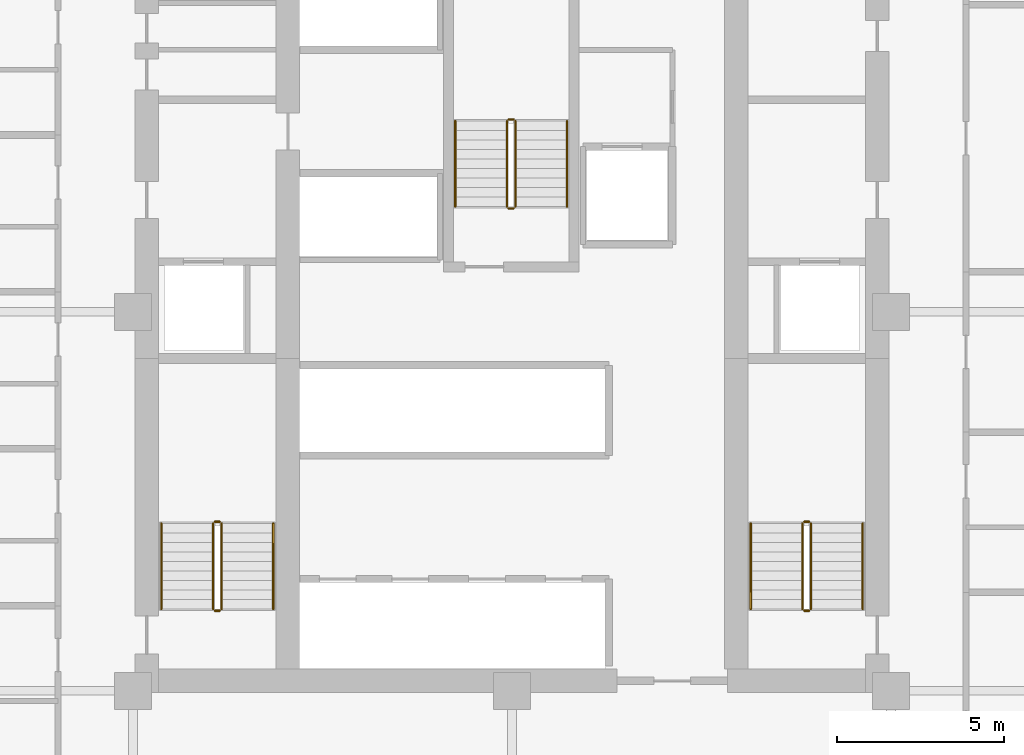
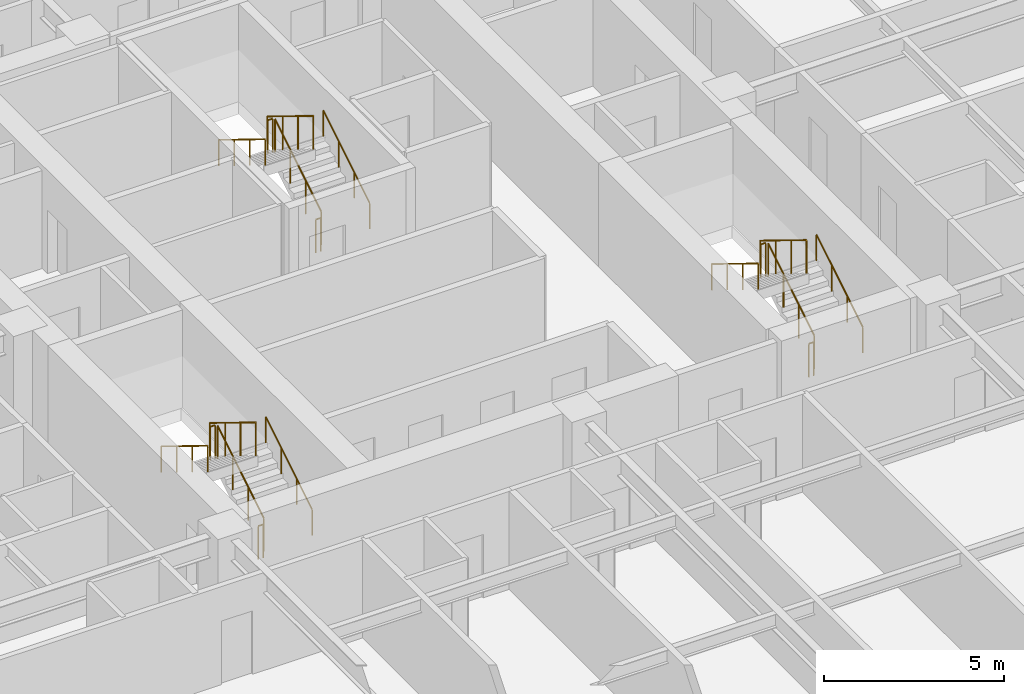
# One storey, part 8 of 8: 18 railings.
"""IFC4 building model written with IfcOpenShell, lengths in metres."""

from ifc_helpers import new_model, si_unit, direction, frame, origin, origin_2d, place, context, subcontext, project, spatial, circle, extrude, material, type_object, element, save


model = new_model("IFC4")

# Units and contexts
model_context = context("Model", 3, precision=1e-05, world=origin(), true_north=direction((0.0, 1.0)))
body_context = subcontext(model_context, "Body", "Model", "MODEL_VIEW")
ifc_project = project(units=[si_unit("LENGTHUNIT", "METRE"), si_unit("AREAUNIT", "SQUARE_METRE"), si_unit("VOLUMEUNIT", "CUBIC_METRE"), si_unit("PLANEANGLEUNIT", "RADIAN"), si_unit("MASSUNIT", "GRAM", prefix="KILO")], contexts=[model_context])

# Site, building, storey
site_placement = place(None, origin())
site = spatial("IfcSite", under=ifc_project, at=site_placement, CompositionType="ELEMENT")
building_placement = place(site_placement, origin())
building = spatial("IfcBuilding", under=site, at=building_placement, Name="Nhamokura Convention Tower", CompositionType="ELEMENT")
storey_placement = place(building_placement, frame((0.0, 0.0, 42.35009765625)))
storey = spatial("IfcBuildingStorey", under=building, at=storey_placement, Name="L08", CompositionType="ELEMENT", Elevation=42.35009765625)

# Railings
ifc_material_1 = material(Name="Anodised bronze stainless steel", Category="steel")
railing_type_1 = type_object("IfcRailingType", Name="StairWallHandrail_900", PredefinedType="HANDRAIL", material=ifc_material_1)
railing_1_placement = place(storey_placement, frame((24.85009765625, 23.10009765625, 0.1748046875)))
element("IfcRailing", 1, at=railing_1_placement, inside=storey, type_object=railing_type_1, Name="L08 ST-01 stair handrail 1", PredefinedType="HANDRAIL", context=body_context, shape_type="SweptSolid", body=[
    extrude(circle(Radius=0.02392578125, at=origin_2d()), frame((0.0, 0.0, 0.8759765625), z_axis=(0.0, 0.85213695991, 0.523318833556), x_axis=(-1.0, 0.0, 0.0)), (0.0, 0.0, 1.0), 3.010009765625),
    extrude(circle(Radius=0.02099609375, at=origin_2d()), origin(), (0.0, 0.0, 1.0), 0.851806640625),
    extrude(circle(Radius=0.02099609375, at=origin_2d()), frame((0.0, 0.85498046875, 0.525146484375)), (0.0, 0.0, 1.0), 0.851806640625),
    extrude(circle(Radius=0.02099609375, at=origin_2d()), frame((0.0, 1.7099609375, 1.050048828125)), (0.0, 0.0, 1.0), 0.851806640625),
    extrude(circle(Radius=0.02099609375, at=origin_2d()), frame((0.0, 2.56494140625, 1.5751953125)), (0.0, 0.0, 1.0), 0.851806640625),
])
railing_2_placement = place(storey_placement, frame((21.5, 25.6650390625, 1.9248046875)))
element("IfcRailing", 2, at=railing_2_placement, inside=storey, type_object=railing_type_1, Name="L08 ST-01 stair handrail 2", PredefinedType="HANDRAIL", context=body_context, shape_type="SweptSolid", body=[
    extrude(circle(Radius=0.02392578125, at=origin_2d()), frame((0.0, 0.0, 0.8759765625), z_axis=(0.0, -0.85213695991, 0.523318833556), x_axis=(1.0, 0.0, 0.0)), (0.0, 0.0, 1.0), 3.010009765625),
    extrude(circle(Radius=0.02099609375, at=origin_2d()), origin(), (0.0, 0.0, 1.0), 0.851806640625),
    extrude(circle(Radius=0.02099609375, at=origin_2d()), frame((0.0, -0.85498046875, 0.525146484375)), (0.0, 0.0, 1.0), 0.851806640625),
    extrude(circle(Radius=0.02099609375, at=origin_2d()), frame((0.0, -1.7099609375, 1.050048828125)), (0.0, 0.0, 1.0), 0.851806640625),
    extrude(circle(Radius=0.02099609375, at=origin_2d()), frame((0.0, -2.56494140625, 1.5751953125)), (0.0, 0.0, 1.0), 0.851806640625),
])
railing_3_placement = place(storey_placement, frame((42.5, 23.10009765625, 0.1748046875)))
element("IfcRailing", 3, at=railing_3_placement, inside=storey, type_object=railing_type_1, Name="L08 ST-02 stair handrail 1", PredefinedType="HANDRAIL", context=body_context, shape_type="SweptSolid", body=[
    extrude(circle(Radius=0.02392578125, at=origin_2d()), frame((0.0, 0.0, 0.8759765625), z_axis=(0.0, 0.85213695991, 0.523318833556), x_axis=(-1.0, 0.0, 0.0)), (0.0, 0.0, 1.0), 3.010009765625),
    extrude(circle(Radius=0.02099609375, at=origin_2d()), origin(), (0.0, 0.0, 1.0), 0.851806640625),
    extrude(circle(Radius=0.02099609375, at=origin_2d()), frame((0.0, 0.85498046875, 0.525146484375)), (0.0, 0.0, 1.0), 0.851806640625),
    extrude(circle(Radius=0.02099609375, at=origin_2d()), frame((0.0, 1.7099609375, 1.050048828125)), (0.0, 0.0, 1.0), 0.851806640625),
    extrude(circle(Radius=0.02099609375, at=origin_2d()), frame((0.0, 2.56494140625, 1.5751953125)), (0.0, 0.0, 1.0), 0.851806640625),
])
railing_4_placement = place(storey_placement, frame((39.14990234375, 25.6650390625, 1.9248046875)))
element("IfcRailing", 4, at=railing_4_placement, inside=storey, type_object=railing_type_1, Name="L08 ST-02 stair handrail 2", PredefinedType="HANDRAIL", context=body_context, shape_type="SweptSolid", body=[
    extrude(circle(Radius=0.02392578125, at=origin_2d()), frame((0.0, 0.0, 0.8759765625), z_axis=(0.0, -0.85213695991, 0.523318833556), x_axis=(1.0, 0.0, 0.0)), (0.0, 0.0, 1.0), 3.010009765625),
    extrude(circle(Radius=0.02099609375, at=origin_2d()), origin(), (0.0, 0.0, 1.0), 0.851806640625),
    extrude(circle(Radius=0.02099609375, at=origin_2d()), frame((0.0, -0.85498046875, 0.525146484375)), (0.0, 0.0, 1.0), 0.851806640625),
    extrude(circle(Radius=0.02099609375, at=origin_2d()), frame((0.0, -1.7099609375, 1.050048828125)), (0.0, 0.0, 1.0), 0.851806640625),
    extrude(circle(Radius=0.02099609375, at=origin_2d()), frame((0.0, -2.56494140625, 1.5751953125)), (0.0, 0.0, 1.0), 0.851806640625),
])
railing_5_placement = place(storey_placement, frame((33.64990234375, 35.14990234375, 0.1748046875)))
element("IfcRailing", 5, at=railing_5_placement, inside=storey, type_object=railing_type_1, Name="L08 ST-03 stair handrail 1", PredefinedType="HANDRAIL", context=body_context, shape_type="SweptSolid", body=[
    extrude(circle(Radius=0.02392578125, at=origin_2d()), frame((0.0, 0.0, 0.8759765625), z_axis=(0.0, 0.852159170481, 0.523282665646), x_axis=(-1.0, 0.0, 0.0)), (0.0, 0.0, 1.0), 3.01025390625),
    extrude(circle(Radius=0.02099609375, at=origin_2d()), origin(), (0.0, 0.0, 1.0), 0.851806640625),
    extrude(circle(Radius=0.02099609375, at=origin_2d()), frame((0.0, 0.85498046875, 0.525146484375)), (0.0, 0.0, 1.0), 0.851806640625),
    extrude(circle(Radius=0.02099609375, at=origin_2d()), frame((0.0, 1.710205078125, 1.050048828125)), (0.0, 0.0, 1.0), 0.851806640625),
    extrude(circle(Radius=0.02099609375, at=origin_2d()), frame((0.0, 2.565185546875, 1.5751953125)), (0.0, 0.0, 1.0), 0.851806640625),
])
railing_6_placement = place(storey_placement, frame((30.300048828125, 37.715087890625, 1.9248046875)))
element("IfcRailing", 6, at=railing_6_placement, inside=storey, type_object=railing_type_1, Name="L08 ST-03 stair handrail 2", PredefinedType="HANDRAIL", context=body_context, shape_type="SweptSolid", body=[
    extrude(circle(Radius=0.02392578125, at=origin_2d()), frame((0.0, 0.0, 0.8759765625), z_axis=(0.0, -0.852159170481, 0.523282665646), x_axis=(1.0, 0.0, 0.0)), (0.0, 0.0, 1.0), 3.01025390625),
    extrude(circle(Radius=0.02099609375, at=origin_2d()), origin(), (0.0, 0.0, 1.0), 0.851806640625),
    extrude(circle(Radius=0.02099609375, at=origin_2d()), frame((0.0, -0.85498046875, 0.525146484375)), (0.0, 0.0, 1.0), 0.851806640625),
    extrude(circle(Radius=0.02099609375, at=origin_2d()), frame((0.0, -1.710205078125, 1.050048828125)), (0.0, 0.0, 1.0), 0.851806640625),
    extrude(circle(Radius=0.02099609375, at=origin_2d()), frame((0.0, -2.565185546875, 1.5751953125)), (0.0, 0.0, 1.0), 0.851806640625),
])
ifc_material_2 = material(Name="Painted tubular steel", Category="steel")
railing_type_2 = type_object("IfcRailingType", Name="StairWellGuardrail_1150", PredefinedType="GUARDRAIL", material=ifc_material_2)
railing_7_placement = place(storey_placement, frame((23.300048828125, 23.10009765625, 0.1748046875)))
element("IfcRailing", 7, at=railing_7_placement, inside=storey, type_object=railing_type_2, Name="L08 ST-01 stair guard 1", PredefinedType="GUARDRAIL", context=body_context, shape_type="SweptSolid", body=[
    extrude(circle(Radius=0.02392578125, at=origin_2d()), frame((0.0, 0.0, 1.1259765625), z_axis=(0.0, 0.85213695991, 0.523318833556), x_axis=(-1.0, 0.0, 0.0)), (0.0, 0.0, 1.0), 3.010009765625),
    extrude(circle(Radius=0.02099609375, at=origin_2d()), origin(), (0.0, 0.0, 1.0), 1.101806640625),
    extrude(circle(Radius=0.02099609375, at=origin_2d()), frame((0.0, 0.85498046875, 0.525146484375)), (0.0, 0.0, 1.0), 1.101806640625),
    extrude(circle(Radius=0.02099609375, at=origin_2d()), frame((0.0, 1.7099609375, 1.050048828125)), (0.0, 0.0, 1.0), 1.101806640625),
    extrude(circle(Radius=0.02099609375, at=origin_2d()), frame((0.0, 2.56494140625, 1.5751953125)), (0.0, 0.0, 1.0), 1.101806640625),
])
railing_8_placement = place(storey_placement, frame((23.25, 25.715087890625, 1.75)))
element("IfcRailing", 8, at=railing_8_placement, inside=storey, type_object=railing_type_2, Name="L08 ST-01 stair guard 2", PredefinedType="GUARDRAIL", context=body_context, shape_type="SweptSolid", body=[
    extrude(circle(Radius=0.02392578125, at=origin_2d()), frame((0.0, 0.0, 1.1259765625), z_axis=(-1.0, 0.0, 0.0), x_axis=(0.0, -1.0, 0.0)), (0.0, 0.0, 1.0), 0.14990234375),
    extrude(circle(Radius=0.02099609375, at=origin_2d()), origin(), (0.0, 0.0, 1.0), 1.101806640625),
    extrude(circle(Radius=0.02099609375, at=origin_2d()), frame((-0.14990234375, 0.0, 0.0)), (0.0, 0.0, 1.0), 1.101806640625),
])
railing_9_placement = place(storey_placement, frame((23.050048828125, 25.6650390625, 1.9248046875)))
element("IfcRailing", 9, at=railing_9_placement, inside=storey, type_object=railing_type_2, Name="L08 ST-01 stair guard 3", PredefinedType="GUARDRAIL", context=body_context, shape_type="SweptSolid", body=[
    extrude(circle(Radius=0.02392578125, at=origin_2d()), frame((0.0, 0.0, 1.1259765625), z_axis=(0.0, -0.85213695991, 0.523318833556), x_axis=(1.0, 0.0, 0.0)), (0.0, 0.0, 1.0), 3.010009765625),
    extrude(circle(Radius=0.02099609375, at=origin_2d()), origin(), (0.0, 0.0, 1.0), 1.101806640625),
    extrude(circle(Radius=0.02099609375, at=origin_2d()), frame((0.0, -0.85498046875, 0.525146484375)), (0.0, 0.0, 1.0), 1.101806640625),
    extrude(circle(Radius=0.02099609375, at=origin_2d()), frame((0.0, -1.7099609375, 1.050048828125)), (0.0, 0.0, 1.0), 1.101806640625),
    extrude(circle(Radius=0.02099609375, at=origin_2d()), frame((0.0, -2.56494140625, 1.5751953125)), (0.0, 0.0, 1.0), 1.101806640625),
])
railing_10_placement = place(storey_placement, frame((23.25, 23.050048828125, 0.0)))
element("IfcRailing", 10, at=railing_10_placement, inside=storey, type_object=railing_type_2, Name="L08 ST-01 stair guard 4", PredefinedType="GUARDRAIL", context=body_context, shape_type="SweptSolid", body=[
    extrude(circle(Radius=0.02392578125, at=origin_2d()), frame((0.0, 0.0, 1.1259765625), z_axis=(-1.0, 0.0, 0.0), x_axis=(0.0, -1.0, 0.0)), (0.0, 0.0, 1.0), 0.14990234375),
    extrude(circle(Radius=0.02099609375, at=origin_2d()), origin(), (0.0, 0.0, 1.0), 1.101806640625),
    extrude(circle(Radius=0.02099609375, at=origin_2d()), frame((-0.14990234375, 0.0, 0.0)), (0.0, 0.0, 1.0), 1.101806640625),
])
railing_11_placement = place(storey_placement, frame((40.949951171875, 23.10009765625, 0.1748046875)))
element("IfcRailing", 11, at=railing_11_placement, inside=storey, type_object=railing_type_2, Name="L08 ST-02 stair guard 1", PredefinedType="GUARDRAIL", context=body_context, shape_type="SweptSolid", body=[
    extrude(circle(Radius=0.02392578125, at=origin_2d()), frame((0.0, 0.0, 1.1259765625), z_axis=(0.0, 0.85213695991, 0.523318833556), x_axis=(-1.0, 0.0, 0.0)), (0.0, 0.0, 1.0), 3.010009765625),
    extrude(circle(Radius=0.02099609375, at=origin_2d()), origin(), (0.0, 0.0, 1.0), 1.101806640625),
    extrude(circle(Radius=0.02099609375, at=origin_2d()), frame((0.0, 0.85498046875, 0.525146484375)), (0.0, 0.0, 1.0), 1.101806640625),
    extrude(circle(Radius=0.02099609375, at=origin_2d()), frame((0.0, 1.7099609375, 1.050048828125)), (0.0, 0.0, 1.0), 1.101806640625),
    extrude(circle(Radius=0.02099609375, at=origin_2d()), frame((0.0, 2.56494140625, 1.5751953125)), (0.0, 0.0, 1.0), 1.101806640625),
])
railing_12_placement = place(storey_placement, frame((40.89990234375, 25.715087890625, 1.75)))
element("IfcRailing", 12, at=railing_12_placement, inside=storey, type_object=railing_type_2, Name="L08 ST-02 stair guard 2", PredefinedType="GUARDRAIL", context=body_context, shape_type="SweptSolid", body=[
    extrude(circle(Radius=0.02392578125, at=origin_2d()), frame((0.0, 0.0, 1.1259765625), z_axis=(-1.0, 0.0, 0.0), x_axis=(0.0, -1.0, 0.0)), (0.0, 0.0, 1.0), 0.14990234375),
    extrude(circle(Radius=0.02099609375, at=origin_2d()), origin(), (0.0, 0.0, 1.0), 1.101806640625),
    extrude(circle(Radius=0.02099609375, at=origin_2d()), frame((-0.14990234375, 0.0, 0.0)), (0.0, 0.0, 1.0), 1.101806640625),
])
railing_13_placement = place(storey_placement, frame((40.699951171875, 25.6650390625, 1.9248046875)))
element("IfcRailing", 13, at=railing_13_placement, inside=storey, type_object=railing_type_2, Name="L08 ST-02 stair guard 3", PredefinedType="GUARDRAIL", context=body_context, shape_type="SweptSolid", body=[
    extrude(circle(Radius=0.02392578125, at=origin_2d()), frame((0.0, 0.0, 1.1259765625), z_axis=(0.0, -0.85213695991, 0.523318833556), x_axis=(1.0, 0.0, 0.0)), (0.0, 0.0, 1.0), 3.010009765625),
    extrude(circle(Radius=0.02099609375, at=origin_2d()), origin(), (0.0, 0.0, 1.0), 1.101806640625),
    extrude(circle(Radius=0.02099609375, at=origin_2d()), frame((0.0, -0.85498046875, 0.525146484375)), (0.0, 0.0, 1.0), 1.101806640625),
    extrude(circle(Radius=0.02099609375, at=origin_2d()), frame((0.0, -1.7099609375, 1.050048828125)), (0.0, 0.0, 1.0), 1.101806640625),
    extrude(circle(Radius=0.02099609375, at=origin_2d()), frame((0.0, -2.56494140625, 1.5751953125)), (0.0, 0.0, 1.0), 1.101806640625),
])
railing_14_placement = place(storey_placement, frame((40.89990234375, 23.050048828125, 0.0)))
element("IfcRailing", 14, at=railing_14_placement, inside=storey, type_object=railing_type_2, Name="L08 ST-02 stair guard 4", PredefinedType="GUARDRAIL", context=body_context, shape_type="SweptSolid", body=[
    extrude(circle(Radius=0.02392578125, at=origin_2d()), frame((0.0, 0.0, 1.1259765625), z_axis=(-1.0, 0.0, 0.0), x_axis=(0.0, -1.0, 0.0)), (0.0, 0.0, 1.0), 0.14990234375),
    extrude(circle(Radius=0.02099609375, at=origin_2d()), origin(), (0.0, 0.0, 1.0), 1.101806640625),
    extrude(circle(Radius=0.02099609375, at=origin_2d()), frame((-0.14990234375, 0.0, 0.0)), (0.0, 0.0, 1.0), 1.101806640625),
])
railing_15_placement = place(storey_placement, frame((32.10009765625, 35.14990234375, 0.1748046875)))
element("IfcRailing", 15, at=railing_15_placement, inside=storey, type_object=railing_type_2, Name="L08 ST-03 stair guard 1", PredefinedType="GUARDRAIL", context=body_context, shape_type="SweptSolid", body=[
    extrude(circle(Radius=0.02392578125, at=origin_2d()), frame((0.0, 0.0, 1.1259765625), z_axis=(0.0, 0.852159170481, 0.523282665646), x_axis=(-1.0, 0.0, 0.0)), (0.0, 0.0, 1.0), 3.01025390625),
    extrude(circle(Radius=0.02099609375, at=origin_2d()), origin(), (0.0, 0.0, 1.0), 1.101806640625),
    extrude(circle(Radius=0.02099609375, at=origin_2d()), frame((0.0, 0.85498046875, 0.525146484375)), (0.0, 0.0, 1.0), 1.101806640625),
    extrude(circle(Radius=0.02099609375, at=origin_2d()), frame((0.0, 1.710205078125, 1.050048828125)), (0.0, 0.0, 1.0), 1.101806640625),
    extrude(circle(Radius=0.02099609375, at=origin_2d()), frame((0.0, 2.565185546875, 1.5751953125)), (0.0, 0.0, 1.0), 1.101806640625),
])
railing_16_placement = place(storey_placement, frame((32.050048828125, 37.764892578125, 1.75)))
element("IfcRailing", 16, at=railing_16_placement, inside=storey, type_object=railing_type_2, Name="L08 ST-03 stair guard 2", PredefinedType="GUARDRAIL", context=body_context, shape_type="SweptSolid", body=[
    extrude(circle(Radius=0.02392578125, at=origin_2d()), frame((0.0, 0.0, 1.1259765625), z_axis=(-1.0, 0.0, 0.0), x_axis=(0.0, -1.0, 0.0)), (0.0, 0.0, 1.0), 0.150146484375),
    extrude(circle(Radius=0.02099609375, at=origin_2d()), origin(), (0.0, 0.0, 1.0), 1.101806640625),
    extrude(circle(Radius=0.02099609375, at=origin_2d()), frame((-0.150146484375, 0.0, 0.0)), (0.0, 0.0, 1.0), 1.101806640625),
])
railing_17_placement = place(storey_placement, frame((31.85009765625, 37.715087890625, 1.9248046875)))
element("IfcRailing", 17, at=railing_17_placement, inside=storey, type_object=railing_type_2, Name="L08 ST-03 stair guard 3", PredefinedType="GUARDRAIL", context=body_context, shape_type="SweptSolid", body=[
    extrude(circle(Radius=0.02392578125, at=origin_2d()), frame((0.0, 0.0, 1.1259765625), z_axis=(0.0, -0.852159170481, 0.523282665646), x_axis=(1.0, 0.0, 0.0)), (0.0, 0.0, 1.0), 3.01025390625),
    extrude(circle(Radius=0.02099609375, at=origin_2d()), origin(), (0.0, 0.0, 1.0), 1.101806640625),
    extrude(circle(Radius=0.02099609375, at=origin_2d()), frame((0.0, -0.85498046875, 0.525146484375)), (0.0, 0.0, 1.0), 1.101806640625),
    extrude(circle(Radius=0.02099609375, at=origin_2d()), frame((0.0, -1.710205078125, 1.050048828125)), (0.0, 0.0, 1.0), 1.101806640625),
    extrude(circle(Radius=0.02099609375, at=origin_2d()), frame((0.0, -2.565185546875, 1.5751953125)), (0.0, 0.0, 1.0), 1.101806640625),
])
railing_18_placement = place(storey_placement, frame((32.050048828125, 35.10009765625, 0.0)))
element("IfcRailing", 18, at=railing_18_placement, inside=storey, type_object=railing_type_2, Name="L08 ST-03 stair guard 4", PredefinedType="GUARDRAIL", context=body_context, shape_type="SweptSolid", body=[
    extrude(circle(Radius=0.02392578125, at=origin_2d()), frame((0.0, 0.0, 1.1259765625), z_axis=(-1.0, 0.0, 0.0), x_axis=(0.0, -1.0, 0.0)), (0.0, 0.0, 1.0), 0.150146484375),
    extrude(circle(Radius=0.02099609375, at=origin_2d()), origin(), (0.0, 0.0, 1.0), 1.101806640625),
    extrude(circle(Radius=0.02099609375, at=origin_2d()), frame((-0.150146484375, 0.0, 0.0)), (0.0, 0.0, 1.0), 1.101806640625),
])

save(model, "model.ifc")
